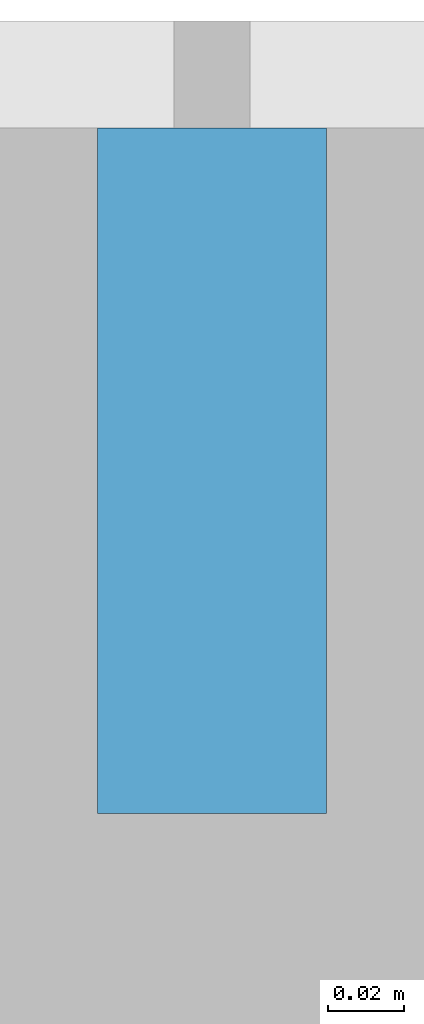
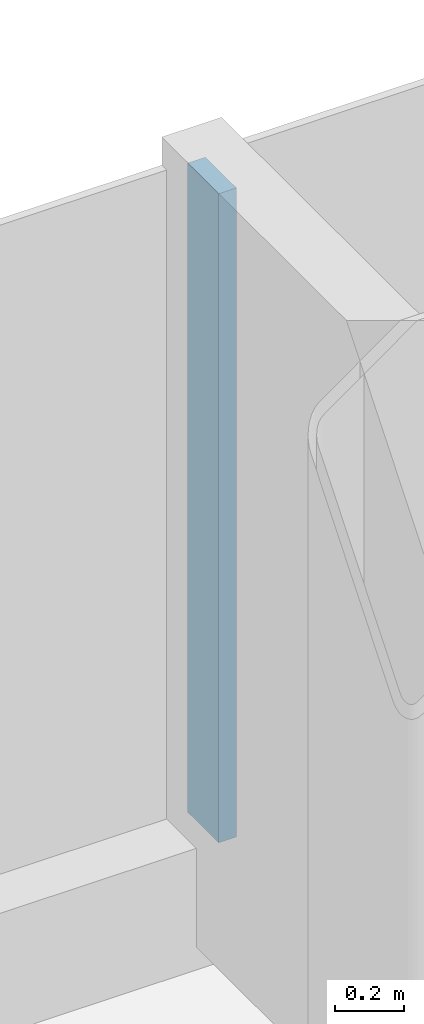
# One storey, part 7 of 26: 1 member, 1 element without a shape of its own.
"""IFC4 building model written with IfcOpenShell, lengths in metres."""

from ifc_helpers import new_model, si_unit, direction, frame, origin, origin_2d, place, context, subcontext, project, spatial, rectangle, extrude, material, layer, layer_set, material_profile, profile_set, type_object, element, aggregate, save


model = new_model("IFC4")

# Units and contexts
model_context = context("Model", 3, precision=1e-05, world=origin(), true_north=direction((0.0, 1.0)))
body_context = subcontext(model_context, "Body", "Model", "MODEL_VIEW")
ifc_project = project(units=[si_unit("LENGTHUNIT", "METRE"), si_unit("AREAUNIT", "SQUARE_METRE"), si_unit("VOLUMEUNIT", "CUBIC_METRE"), si_unit("PLANEANGLEUNIT", "RADIAN"), si_unit("MASSUNIT", "GRAM", prefix="KILO")], contexts=[model_context])

# Site, building, storey
site_placement = place(None, origin())
site = spatial("IfcSite", under=ifc_project, at=site_placement, CompositionType="ELEMENT")
building_placement = place(site_placement, origin())
building = spatial("IfcBuilding", under=site, at=building_placement, Name="Hakoniwa Tower and Hamabe Station Hall", CompositionType="ELEMENT")
storey_placement = place(building_placement, frame((0.0, 0.0, 215.39990234375)))
storey = spatial("IfcBuildingStorey", under=building, at=storey_placement, Name="L61", CompositionType="ELEMENT", Elevation=215.39990234375)

# Curtain wall, member
ifc_material_1 = material(Name="Dark low-e laminated glass", Category="glass")
ifc_layer = layer(ifc_material_1, 0.199951171875)
ifc_layer_set = layer_set([ifc_layer], Name="CW-1 UNITISED GUEST")
curtain_wall_type = type_object("IfcCurtainWallType", Name="CW-1 UNITISED GUEST", PredefinedType="NOTDEFINED", material=ifc_layer_set)
curtain_wall_placement = place(storey_placement, origin())
curtain_wall = element("IfcCurtainWall", 1, at=curtain_wall_placement, inside=storey, type_object=curtain_wall_type, Name="CW-1 curtain wall", PredefinedType="NOTDEFINED")
ifc_material_2 = material(Name="Aluminium 6063-T5 black anodised", Category="aluminium")
ifc_material_profile = material_profile(ifc_material_2, rectangle(XDim=0.06005859375, YDim=0.179931640625, at=origin_2d()), Name="CW-1 MULLION 60X180")
ifc_profile_set = profile_set([ifc_material_profile], Name="Aluminium 6063-T5 black anodised")
member_type = type_object("IfcMemberType", Name="CW-1 MULLION 60X180", PredefinedType="MULLION", material=ifc_profile_set)
member_placement = place(storey_placement, frame((0.0, 20.431884765625, 0.35009765625), z_axis=(0.0, 0.0, 1.0), x_axis=(-1.0, 0.0, 0.0)))
member = element("IfcMember", 2, at=member_placement, type_object=member_type, Name="CW-1 mullion", PredefinedType="MULLION", context=body_context, shape_type="SweptSolid", body=[
    extrude(rectangle(XDim=0.06005859375, YDim=0.179931640625, at=origin_2d()), origin(), (0.0, 0.0, 1.0), 2.300048828125),
])
aggregate(curtain_wall, [member])

save(model, "model.ifc")
